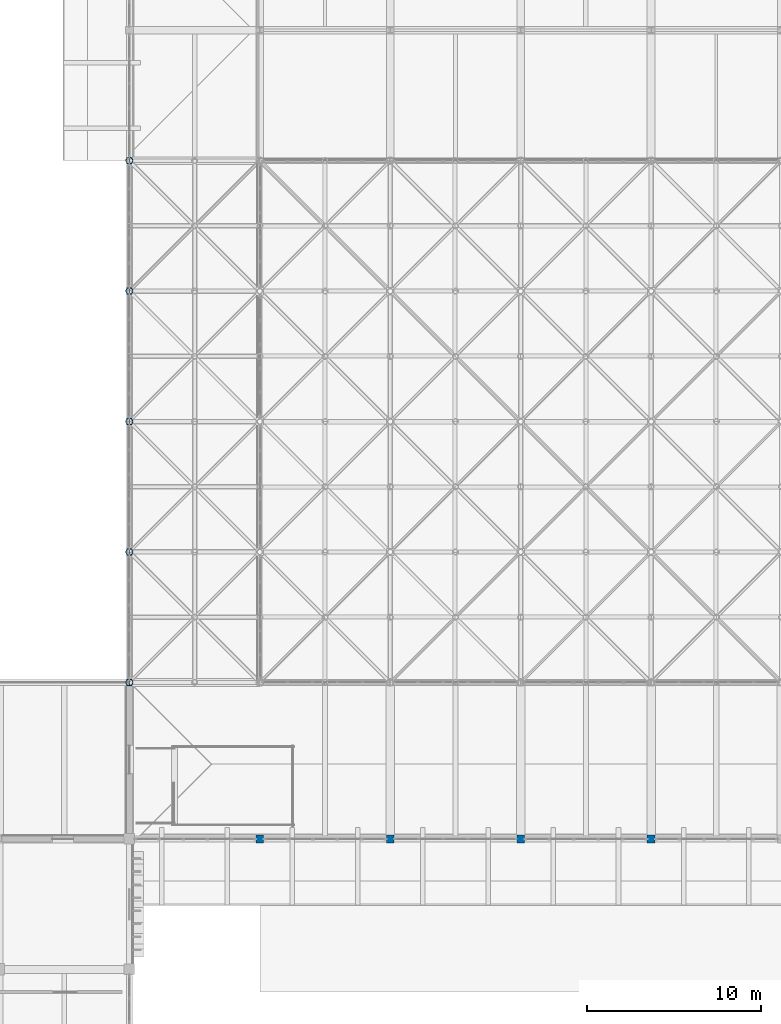
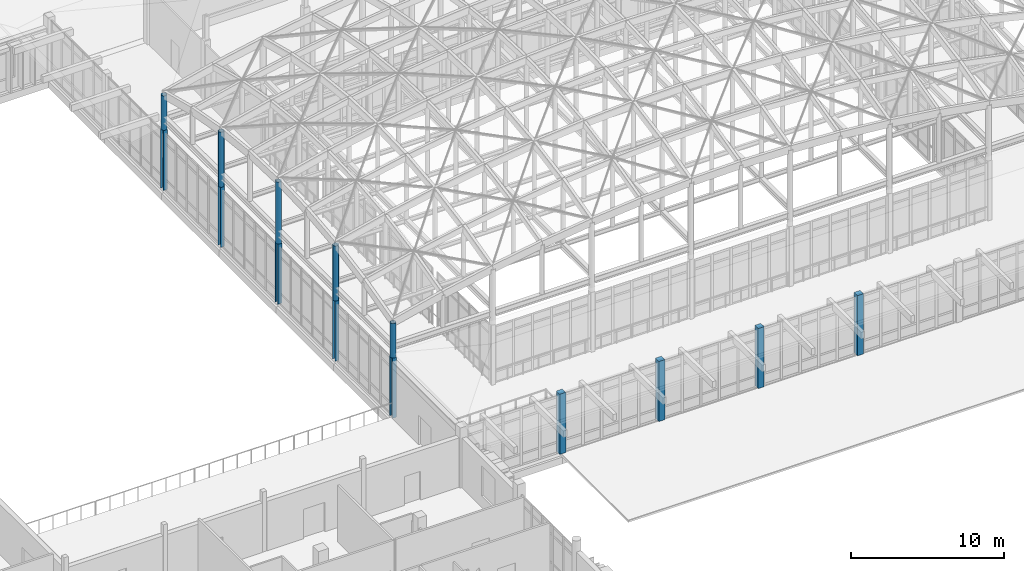
# One storey, part 3 of 131: 14 columns.
"""IFC4 building model written with IfcOpenShell, lengths in metres."""

from ifc_helpers import new_model, si_unit, direction, frame, origin, origin_2d, place, context, subcontext, project, spatial, rectangle, hollow_circle, i_section, extrude, material, material_profile, profile_set, type_object, element, save


model = new_model("IFC4")

# Units and contexts
model_context = context("Model", 3, precision=1e-05, world=origin(), true_north=direction((0.0, 1.0)))
body_context = subcontext(model_context, "Body", "Model", "MODEL_VIEW")
ifc_project = project(units=[si_unit("LENGTHUNIT", "METRE"), si_unit("AREAUNIT", "SQUARE_METRE"), si_unit("VOLUMEUNIT", "CUBIC_METRE"), si_unit("PLANEANGLEUNIT", "RADIAN"), si_unit("MASSUNIT", "GRAM", prefix="KILO")], contexts=[model_context])

# Site, building, storey
site_placement = place(None, origin())
site = spatial("IfcSite", under=ifc_project, at=site_placement, CompositionType="ELEMENT")
building_placement = place(site_placement, origin())
building = spatial("IfcBuilding", under=site, at=building_placement, Name="Dalvernix Boulevard General Hospital", CompositionType="ELEMENT")
storey_placement = place(building_placement, frame((0.0, 0.0, 9.300048828125)))
storey = spatial("IfcBuildingStorey", under=building, at=storey_placement, Name="L02", CompositionType="ELEMENT", Elevation=9.300048828125)

# Columns
ifc_material_1 = material(Name="Concrete C40/50", Category="concrete")
ifc_material_profile_1 = material_profile(ifc_material_1, rectangle(XDim=0.449951171875, YDim=0.449951171875, at=origin_2d()), Name="RC 450x450")
ifc_profile_set_1 = profile_set([ifc_material_profile_1], Name="Concrete C40/50")
column_type_1 = type_object("IfcColumnType", Name="COL-C-10-E", PredefinedType="COLUMN", material=ifc_profile_set_1)
for number, where, z_axis, x_axis, name in (
    (1, (67.5, 22.5, 0.0), (0.0, 0.0, 1.0), (1.0, 0.0, 0.0), "L02 column 10D"),
    (2, (75.0, 22.5, 0.0), (0.0, 0.0, 1.0), (1.0, 0.0, 0.0), "L02 column 11D"),
    (3, (82.5, 22.5, 0.0), (0.0, 0.0, 1.0), (1.0, 0.0, 0.0), "L02 column 12D"),
    (4, (90.0, 22.5, 0.0), (0.0, 0.0, 1.0), (1.0, 0.0, 0.0), "L02 column 13D"),
):
    element("IfcColumn", number, at=place(storey_placement, frame(where, z_axis=z_axis, x_axis=x_axis)), inside=storey, type_object=column_type_1, Name=name, PredefinedType="COLUMN", context=body_context, shape_type="SweptSolid", body=[
        extrude(rectangle(XDim=0.449951171875, YDim=0.449951171875, at=origin_2d()), origin(), (0.0, 0.0, 1.0), 4.800048828125),
    ])
ifc_material_2 = material(Name="Steel S355", Category="steel")
ifc_material_profile_2 = material_profile(ifc_material_2, i_section(OverallWidth=0.300048828125, OverallDepth=0.360107421875, WebThickness=0.012451171875, FlangeThickness=0.0224609375, FilletRadius=0.027099609375, at=origin_2d()), Name="HEB 360")
ifc_profile_set_2 = profile_set([ifc_material_profile_2], Name="Steel S355")
column_type_2 = type_object("IfcColumnType", Name="COL-C-17-E", PredefinedType="COLUMN", material=ifc_profile_set_2)
for number, where, z_axis, x_axis, name in (
    (5, (60.0, 31.5, 0.0), (0.0, 0.0, 1.0), (1.0, 0.0, 0.0), "L02 column 9E"),
    (6, (60.0, 39.0, 0.0), (0.0, 0.0, 1.0), (1.0, 0.0, 0.0), "L02 column 9F"),
    (7, (60.0, 46.5, 0.0), (0.0, 0.0, 1.0), (1.0, 0.0, 0.0), "L02 column 9G"),
    (8, (60.0, 54.0, 0.0), (0.0, 0.0, 1.0), (1.0, 0.0, 0.0), "L02 column 9H"),
    (9, (60.0, 61.5, 0.0), (0.0, 0.0, 1.0), (1.0, 0.0, 0.0), "L02 column 9J"),
):
    element("IfcColumn", number, at=place(storey_placement, frame(where, z_axis=z_axis, x_axis=x_axis)), inside=storey, type_object=column_type_2, Name=name, PredefinedType="COLUMN", context=body_context, shape_type="SweptSolid", body=[
        extrude(i_section(OverallWidth=0.300048828125, OverallDepth=0.360107421875, WebThickness=0.012451171875, FlangeThickness=0.0224609375, FilletRadius=0.027099609375, at=origin_2d()), origin(), (0.0, 0.0, 1.0), 4.800048828125),
    ])
ifc_material_profile_3 = material_profile(ifc_material_2, hollow_circle(Radius=0.203125, WallThickness=0.01611328125, at=origin_2d()), Name="CHS 406.4x16.0")
ifc_profile_set_3 = profile_set([ifc_material_profile_3], Name="Steel S355")
column_type_3 = type_object("IfcColumnType", Name="COL-C-19", PredefinedType="COLUMN", material=ifc_profile_set_3)
column_1_placement = place(storey_placement, frame((60.0, 31.5, 4.800048828125), z_axis=(0.0, 0.0, 1.0), x_axis=(1.0, 0.0, 0.0)))
element("IfcColumn", 10, at=column_1_placement, inside=storey, type_object=column_type_3, Name="Gridshell grid column post 0-0", PredefinedType="COLUMN", context=body_context, shape_type="SweptSolid", body=[
    extrude(hollow_circle(Radius=0.203125, WallThickness=0.01611328125, at=origin_2d()), origin(), (0.0, 0.0, 1.0), 2.75),
])
column_2_placement = place(storey_placement, frame((60.0, 39.0, 4.800048828125), z_axis=(0.0, 0.0, 1.0), x_axis=(1.0, 0.0, 0.0)))
element("IfcColumn", 11, at=column_2_placement, inside=storey, type_object=column_type_3, Name="Gridshell grid column post 0-2", PredefinedType="COLUMN", context=body_context, shape_type="SweptSolid", body=[
    extrude(hollow_circle(Radius=0.203125, WallThickness=0.01611328125, at=origin_2d()), origin(), (0.0, 0.0, 1.0), 4.39990234375),
])
column_3_placement = place(storey_placement, frame((60.0, 46.5, 4.800048828125), z_axis=(0.0, 0.0, 1.0), x_axis=(1.0, 0.0, 0.0)))
element("IfcColumn", 12, at=column_3_placement, inside=storey, type_object=column_type_3, Name="Gridshell grid column post 0-4", PredefinedType="COLUMN", context=body_context, shape_type="SweptSolid", body=[
    extrude(hollow_circle(Radius=0.203125, WallThickness=0.01611328125, at=origin_2d()), origin(), (0.0, 0.0, 1.0), 4.949951171875),
])
column_4_placement = place(storey_placement, frame((60.0, 54.0, 4.800048828125), z_axis=(0.0, 0.0, 1.0), x_axis=(1.0, 0.0, 0.0)))
element("IfcColumn", 13, at=column_4_placement, inside=storey, type_object=column_type_3, Name="Gridshell grid column post 0-6", PredefinedType="COLUMN", context=body_context, shape_type="SweptSolid", body=[
    extrude(hollow_circle(Radius=0.203125, WallThickness=0.01611328125, at=origin_2d()), origin(), (0.0, 0.0, 1.0), 4.39990234375),
])
column_5_placement = place(storey_placement, frame((60.0, 61.5, 4.800048828125), z_axis=(0.0, 0.0, 1.0), x_axis=(1.0, 0.0, 0.0)))
element("IfcColumn", 14, at=column_5_placement, inside=storey, type_object=column_type_3, Name="Gridshell grid column post 0-8", PredefinedType="COLUMN", context=body_context, shape_type="SweptSolid", body=[
    extrude(hollow_circle(Radius=0.203125, WallThickness=0.01611328125, at=origin_2d()), origin(), (0.0, 0.0, 1.0), 2.75),
])

save(model, "model.ifc")
